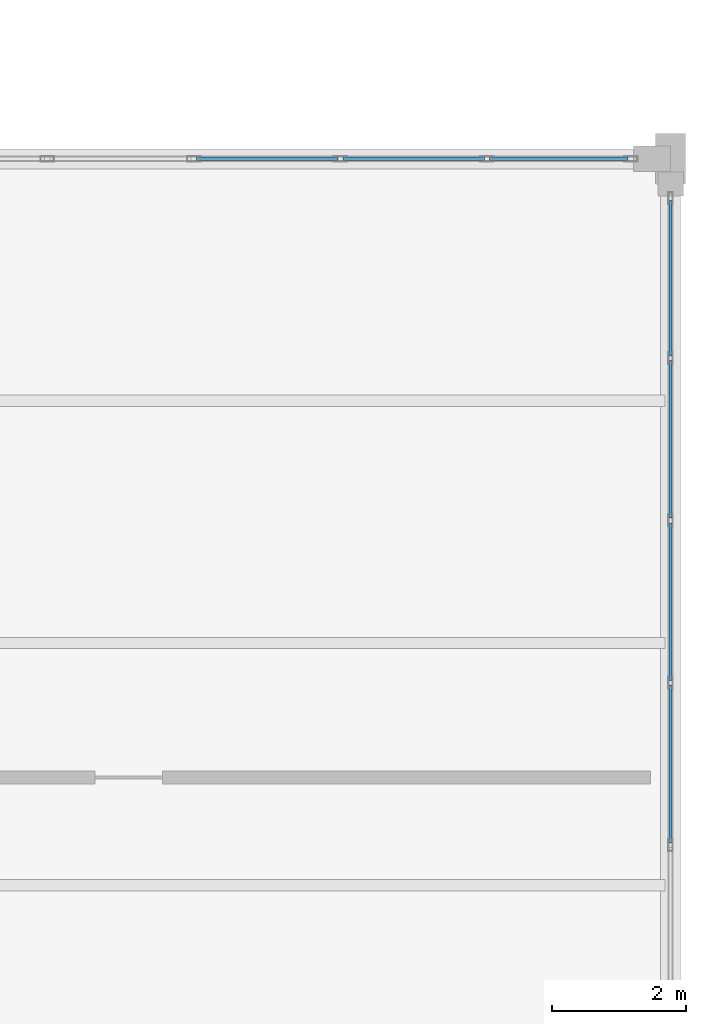
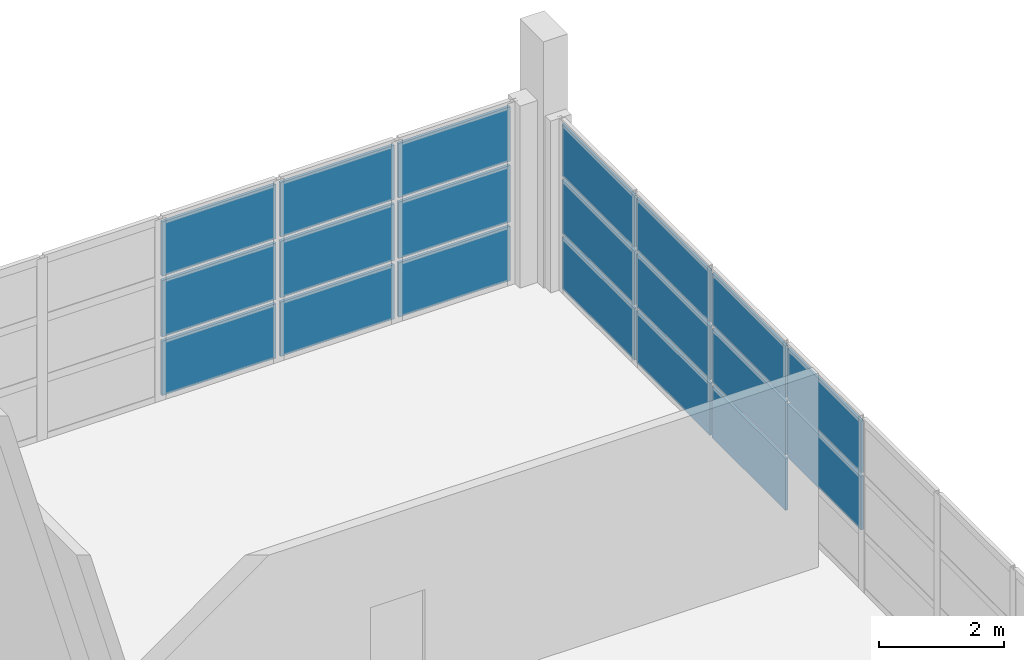
# One storey, part 76 of 86: 20 plates, 2 elements without a shape of their own.
"""IFC4 building model written with IfcOpenShell, lengths in metres."""

from ifc_helpers import new_model, si_unit, direction, frame, origin, origin_2d, place, context, subcontext, project, spatial, rectangle, extrude, material, layer, layer_set, type_object, element, aggregate, save


model = new_model("IFC4")

# Units and contexts
model_context = context("Model", 3, precision=1e-05, world=origin(), true_north=direction((0.0, 1.0)))
body_context = subcontext(model_context, "Body", "Model", "MODEL_VIEW")
ifc_project = project(units=[si_unit("LENGTHUNIT", "METRE"), si_unit("AREAUNIT", "SQUARE_METRE"), si_unit("VOLUMEUNIT", "CUBIC_METRE"), si_unit("PLANEANGLEUNIT", "RADIAN"), si_unit("MASSUNIT", "GRAM", prefix="KILO")], contexts=[model_context])

# Site, building, storey
site_placement = place(None, origin())
site = spatial("IfcSite", under=ifc_project, at=site_placement, CompositionType="ELEMENT")
building_placement = place(site_placement, origin())
building = spatial("IfcBuilding", under=site, at=building_placement, Name="Zilviju Railside Exhibition Hall", CompositionType="ELEMENT")
storey_placement = place(building_placement, frame((0.0, 0.0, 12.60009765625)))
storey = spatial("IfcBuildingStorey", under=building, at=storey_placement, Name="L04", CompositionType="ELEMENT", Elevation=12.60009765625)

# Curtain wall, plates
ifc_material_1 = material(Name="Thermally broken aluminium-steel triple-glazed curtain wall", Category="steel")
ifc_layer_1 = layer(ifc_material_1, 0.179931640625)
ifc_layer_set_1 = layer_set([ifc_layer_1], Name="Thermally broken aluminium-steel triple-glazed curtain wall")
curtain_wall_type_1 = type_object("IfcCurtainWallType", Name="CW-BAY-15", PredefinedType="USERDEFINED", material=ifc_layer_set_1)
curtain_wall_1_placement = place(storey_placement, origin())
curtain_wall_1 = element("IfcCurtainWall", 1, at=curtain_wall_1_placement, inside=storey, type_object=curtain_wall_type_1, Name="North Hall East Glazed Gable L04 (120..138)", ObjectType="GLAZED CURTAIN WALL", PredefinedType="USERDEFINED")
ifc_material_2 = material(Name="Triple-glazed low-E argon insulating glass unit", Category="glass")
ifc_layer_2 = layer(ifc_material_2, 0.0439453125)
ifc_layer_set_2 = layer_set([ifc_layer_2], Name="Triple-glazed low-E argon insulating glass unit")
plate_type_1 = type_object("IfcPlateType", Name="CWP-IGU-44", PredefinedType="CURTAIN_PANEL", material=ifc_layer_set_2)
plate_1_placement = place(storey_placement, frame((216.0, 136.225341796875, 0.06982421875), z_axis=(0.0, 0.0, 1.0), x_axis=(0.0, -1.0, 0.0)))
plate_1 = element("IfcPlate", 2, at=plate_1_placement, type_object=plate_type_1, Name="CW-15 panel 1.1", PredefinedType="CURTAIN_PANEL", context=body_context, shape_type="SweptSolid", body=[
    extrude(rectangle(XDim=2.309326171875, YDim=0.0439453125, at=origin_2d()), origin(), (0.0, 0.0, 1.0), 1.011962890625),
])
plate_2_placement = place(storey_placement, frame((216.0, 136.225341796875, 1.15185546875), z_axis=(0.0, 0.0, 1.0), x_axis=(0.0, -1.0, 0.0)))
plate_2 = element("IfcPlate", 3, at=plate_2_placement, type_object=plate_type_1, Name="CW-15 panel 1.2", PredefinedType="CURTAIN_PANEL", context=body_context, shape_type="SweptSolid", body=[
    extrude(rectangle(XDim=2.309326171875, YDim=0.0439453125, at=origin_2d()), origin(), (0.0, 0.0, 1.0), 1.0458984375),
])
plate_3_placement = place(storey_placement, frame((216.0, 136.225341796875, 2.26806640625), z_axis=(0.0, 0.0, 1.0), x_axis=(0.0, -1.0, 0.0)))
plate_3 = element("IfcPlate", 4, at=plate_3_placement, type_object=plate_type_1, Name="CW-15 panel 1.3", PredefinedType="CURTAIN_PANEL", context=body_context, shape_type="SweptSolid", body=[
    extrude(rectangle(XDim=2.309326171875, YDim=0.0439453125, at=origin_2d()), origin(), (0.0, 0.0, 1.0), 1.011962890625),
])
plate_4_placement = place(storey_placement, frame((216.0, 133.82861328125, 0.06982421875), z_axis=(0.0, 0.0, 1.0), x_axis=(0.0, -1.0, 0.0)))
plate_4 = element("IfcPlate", 5, at=plate_4_placement, type_object=plate_type_1, Name="CW-15 panel 2.1", PredefinedType="CURTAIN_PANEL", context=body_context, shape_type="SweptSolid", body=[
    extrude(rectangle(XDim=2.34423828125, YDim=0.0439453125, at=origin_2d()), origin(), (0.0, 0.0, 1.0), 1.011962890625),
])
plate_5_placement = place(storey_placement, frame((216.0, 133.82861328125, 1.15185546875), z_axis=(0.0, 0.0, 1.0), x_axis=(0.0, -1.0, 0.0)))
plate_5 = element("IfcPlate", 6, at=plate_5_placement, type_object=plate_type_1, Name="CW-15 panel 2.2", PredefinedType="CURTAIN_PANEL", context=body_context, shape_type="SweptSolid", body=[
    extrude(rectangle(XDim=2.34423828125, YDim=0.0439453125, at=origin_2d()), origin(), (0.0, 0.0, 1.0), 1.0458984375),
])
plate_6_placement = place(storey_placement, frame((216.0, 133.82861328125, 2.26806640625), z_axis=(0.0, 0.0, 1.0), x_axis=(0.0, -1.0, 0.0)))
plate_6 = element("IfcPlate", 7, at=plate_6_placement, type_object=plate_type_1, Name="CW-15 panel 2.3", PredefinedType="CURTAIN_PANEL", context=body_context, shape_type="SweptSolid", body=[
    extrude(rectangle(XDim=2.34423828125, YDim=0.0439453125, at=origin_2d()), origin(), (0.0, 0.0, 1.0), 1.011962890625),
])
plate_7_placement = place(storey_placement, frame((216.0, 131.414306640625, 0.06982421875), z_axis=(0.0, 0.0, 1.0), x_axis=(0.0, -1.0, 0.0)))
plate_7 = element("IfcPlate", 8, at=plate_7_placement, type_object=plate_type_1, Name="CW-15 panel 3.1", PredefinedType="CURTAIN_PANEL", context=body_context, shape_type="SweptSolid", body=[
    extrude(rectangle(XDim=2.34423828125, YDim=0.0439453125, at=origin_2d()), origin(), (0.0, 0.0, 1.0), 1.011962890625),
])
plate_8_placement = place(storey_placement, frame((216.0, 131.414306640625, 1.15185546875), z_axis=(0.0, 0.0, 1.0), x_axis=(0.0, -1.0, 0.0)))
plate_8 = element("IfcPlate", 9, at=plate_8_placement, type_object=plate_type_1, Name="CW-15 panel 3.2", PredefinedType="CURTAIN_PANEL", context=body_context, shape_type="SweptSolid", body=[
    extrude(rectangle(XDim=2.34423828125, YDim=0.0439453125, at=origin_2d()), origin(), (0.0, 0.0, 1.0), 1.0458984375),
])
plate_9_placement = place(storey_placement, frame((216.0, 131.414306640625, 2.26806640625), z_axis=(0.0, 0.0, 1.0), x_axis=(0.0, -1.0, 0.0)))
plate_9 = element("IfcPlate", 10, at=plate_9_placement, type_object=plate_type_1, Name="CW-15 panel 3.3", PredefinedType="CURTAIN_PANEL", context=body_context, shape_type="SweptSolid", body=[
    extrude(rectangle(XDim=2.34423828125, YDim=0.0439453125, at=origin_2d()), origin(), (0.0, 0.0, 1.0), 1.011962890625),
])
plate_10_placement = place(storey_placement, frame((216.0, 129.0, 1.15185546875), z_axis=(0.0, 0.0, 1.0), x_axis=(0.0, -1.0, 0.0)))
plate_10 = element("IfcPlate", 11, at=plate_10_placement, type_object=plate_type_1, Name="CW-15 panel 4.2", PredefinedType="CURTAIN_PANEL", context=body_context, shape_type="SweptSolid", body=[
    extrude(rectangle(XDim=2.34423828125, YDim=0.0439453125, at=origin_2d()), origin(), (0.0, 0.0, 1.0), 1.0458984375),
])
plate_11_placement = place(storey_placement, frame((216.0, 129.0, 2.26806640625), z_axis=(0.0, 0.0, 1.0), x_axis=(0.0, -1.0, 0.0)))
plate_11 = element("IfcPlate", 12, at=plate_11_placement, type_object=plate_type_1, Name="CW-15 panel 4.3", PredefinedType="CURTAIN_PANEL", context=body_context, shape_type="SweptSolid", body=[
    extrude(rectangle(XDim=2.34423828125, YDim=0.0439453125, at=origin_2d()), origin(), (0.0, 0.0, 1.0), 1.011962890625),
])
aggregate(curtain_wall_1, [plate_1, plate_2, plate_3, plate_4, plate_5, plate_6, plate_7, plate_8, plate_9, plate_10, plate_11])

ifc_layer_3 = layer(ifc_material_1, 0.179931640625)
ifc_layer_set_3 = layer_set([ifc_layer_3], Name="Thermally broken aluminium-steel triple-glazed curtain wall")
curtain_wall_type_2 = type_object("IfcCurtainWallType", Name="CW-BAY-12", PredefinedType="USERDEFINED", material=ifc_layer_set_3)
curtain_wall_2_placement = place(storey_placement, origin())
curtain_wall_2 = element("IfcCurtainWall", 13, at=curtain_wall_2_placement, inside=storey, type_object=curtain_wall_type_2, Name="North Hall Clerestory Curtain Wall L04 (204..216)", ObjectType="GLAZED CURTAIN WALL", PredefinedType="USERDEFINED")
ifc_material_3 = material(Name="Insulated cobalt-blue enamelled spandrel glass panel", Category="glass")
ifc_layer_4 = layer(ifc_material_3, 0.052001953125)
ifc_layer_set_4 = layer_set([ifc_layer_4], Name="Insulated cobalt-blue enamelled spandrel glass panel")
plate_type_2 = type_object("IfcPlateType", Name="CWP-SPD-52", PredefinedType="CURTAIN_PANEL", material=ifc_layer_set_4)
plate_12_placement = place(storey_placement, frame((210.0, 138.0, 0.079833984375), z_axis=(0.0, 0.0, 1.0), x_axis=(1.0, 0.0, 0.0)))
plate_12 = element("IfcPlate", 14, at=plate_12_placement, type_object=plate_type_2, Name="CW-12 panel 3.1", PredefinedType="CURTAIN_PANEL", context=body_context, shape_type="SweptSolid", body=[
    extrude(rectangle(XDim=2.10009765625, YDim=0.052001953125, at=origin_2d()), origin(), (0.0, 0.0, 1.0), 1.06298828125),
])
plate_13_placement = place(storey_placement, frame((210.0, 138.0, 1.222900390625), z_axis=(0.0, 0.0, 1.0), x_axis=(1.0, 0.0, 0.0)))
plate_13 = element("IfcPlate", 15, at=plate_13_placement, type_object=plate_type_2, Name="CW-12 panel 3.2", PredefinedType="CURTAIN_PANEL", context=body_context, shape_type="SweptSolid", body=[
    extrude(rectangle(XDim=2.10009765625, YDim=0.052001953125, at=origin_2d()), origin(), (0.0, 0.0, 1.0), 1.10400390625),
])
plate_14_placement = place(storey_placement, frame((210.0, 138.0, 2.406982421875), z_axis=(0.0, 0.0, 1.0), x_axis=(1.0, 0.0, 0.0)))
plate_14 = element("IfcPlate", 16, at=plate_14_placement, type_object=plate_type_2, Name="CW-12 panel 3.3", PredefinedType="CURTAIN_PANEL", context=body_context, shape_type="SweptSolid", body=[
    extrude(rectangle(XDim=2.10009765625, YDim=0.052001953125, at=origin_2d()), origin(), (0.0, 0.0, 1.0), 1.06298828125),
])
plate_15_placement = place(storey_placement, frame((212.179931640625, 138.0, 0.079833984375), z_axis=(0.0, 0.0, 1.0), x_axis=(1.0, 0.0, 0.0)))
plate_15 = element("IfcPlate", 17, at=plate_15_placement, type_object=plate_type_2, Name="CW-12 panel 4.1", PredefinedType="CURTAIN_PANEL", context=body_context, shape_type="SweptSolid", body=[
    extrude(rectangle(XDim=2.10009765625, YDim=0.052001953125, at=origin_2d()), origin(), (0.0, 0.0, 1.0), 1.06298828125),
])
plate_16_placement = place(storey_placement, frame((212.179931640625, 138.0, 1.222900390625), z_axis=(0.0, 0.0, 1.0), x_axis=(1.0, 0.0, 0.0)))
plate_16 = element("IfcPlate", 18, at=plate_16_placement, type_object=plate_type_2, Name="CW-12 panel 4.2", PredefinedType="CURTAIN_PANEL", context=body_context, shape_type="SweptSolid", body=[
    extrude(rectangle(XDim=2.10009765625, YDim=0.052001953125, at=origin_2d()), origin(), (0.0, 0.0, 1.0), 1.10400390625),
])
plate_17_placement = place(storey_placement, frame((212.179931640625, 138.0, 2.406982421875), z_axis=(0.0, 0.0, 1.0), x_axis=(1.0, 0.0, 0.0)))
plate_17 = element("IfcPlate", 19, at=plate_17_placement, type_object=plate_type_2, Name="CW-12 panel 4.3", PredefinedType="CURTAIN_PANEL", context=body_context, shape_type="SweptSolid", body=[
    extrude(rectangle(XDim=2.10009765625, YDim=0.052001953125, at=origin_2d()), origin(), (0.0, 0.0, 1.0), 1.06298828125),
])
plate_18_placement = place(storey_placement, frame((214.340087890625, 138.0, 0.079833984375), z_axis=(0.0, 0.0, 1.0), x_axis=(1.0, 0.0, 0.0)))
plate_18 = element("IfcPlate", 20, at=plate_18_placement, type_object=plate_type_2, Name="CW-12 panel 5.1", PredefinedType="CURTAIN_PANEL", context=body_context, shape_type="SweptSolid", body=[
    extrude(rectangle(XDim=2.06005859375, YDim=0.052001953125, at=origin_2d()), origin(), (0.0, 0.0, 1.0), 1.06298828125),
])
plate_19_placement = place(storey_placement, frame((214.340087890625, 138.0, 1.222900390625), z_axis=(0.0, 0.0, 1.0), x_axis=(1.0, 0.0, 0.0)))
plate_19 = element("IfcPlate", 21, at=plate_19_placement, type_object=plate_type_2, Name="CW-12 panel 5.2", PredefinedType="CURTAIN_PANEL", context=body_context, shape_type="SweptSolid", body=[
    extrude(rectangle(XDim=2.06005859375, YDim=0.052001953125, at=origin_2d()), origin(), (0.0, 0.0, 1.0), 1.10400390625),
])
plate_20_placement = place(storey_placement, frame((214.340087890625, 138.0, 2.406982421875), z_axis=(0.0, 0.0, 1.0), x_axis=(1.0, 0.0, 0.0)))
plate_20 = element("IfcPlate", 22, at=plate_20_placement, type_object=plate_type_2, Name="CW-12 panel 5.3", PredefinedType="CURTAIN_PANEL", context=body_context, shape_type="SweptSolid", body=[
    extrude(rectangle(XDim=2.06005859375, YDim=0.052001953125, at=origin_2d()), origin(), (0.0, 0.0, 1.0), 1.06298828125),
])
aggregate(curtain_wall_2, [plate_12, plate_13, plate_14, plate_15, plate_16, plate_17, plate_18, plate_19, plate_20])

save(model, "model.ifc")
